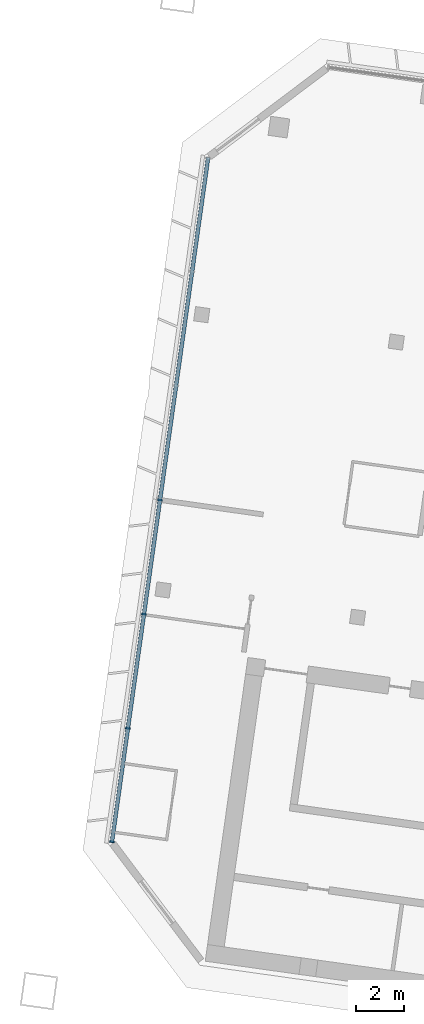
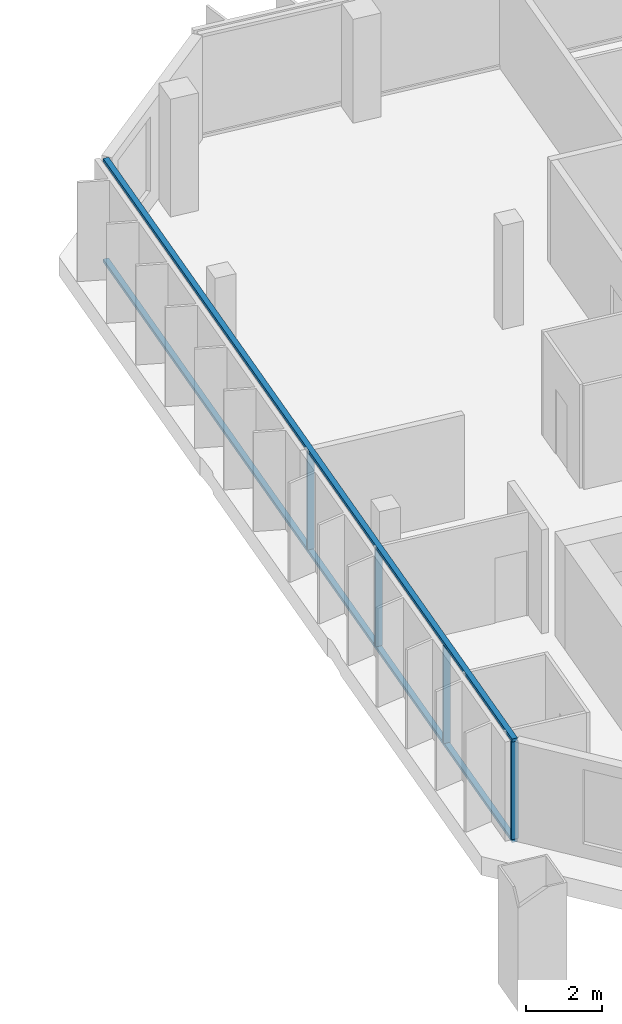
# One storey, part 2 of 26: 6 members, 1 element without a shape of its own.
"""IFC4 building model written with IfcOpenShell, lengths in metres."""

from ifc_helpers import new_model, si_unit, direction, frame, origin, origin_2d, place, context, subcontext, project, spatial, rectangle, extrude, material, material_profile, profile_set, type_object, element, aggregate, save


model = new_model("IFC4")

# Units and contexts
model_context = context("Model", 3, precision=1e-05, world=origin(), true_north=direction((0.0, 1.0)))
body_context = subcontext(model_context, "Body", "Model", "MODEL_VIEW")
ifc_project = project(units=[si_unit("LENGTHUNIT", "METRE"), si_unit("AREAUNIT", "SQUARE_METRE"), si_unit("VOLUMEUNIT", "CUBIC_METRE"), si_unit("PLANEANGLEUNIT", "RADIAN"), si_unit("MASSUNIT", "GRAM", prefix="KILO")], contexts=[model_context])

# Site, building, storey
site_placement = place(None, origin())
site = spatial("IfcSite", under=ifc_project, at=site_placement, CompositionType="ELEMENT")
building_placement = place(site_placement, origin())
building = spatial("IfcBuilding", under=site, at=building_placement, Name="Mirante Cascada Hotel Towers", CompositionType="ELEMENT")
storey_placement = place(building_placement, frame((0.0, 0.0, 203.0)))
storey = spatial("IfcBuildingStorey", under=building, at=storey_placement, Name="L48", CompositionType="ELEMENT", Elevation=203.0)

# Curtain wall, members
ifc_material_1 = material(Name="Aluminium mullion and transom frame with clear laminated glass", Category="aluminium")
curtain_wall_type = type_object("IfcCurtainWallType", Name="End ribbon curtain wall ECW2", PredefinedType="NOTDEFINED", material=ifc_material_1)
curtain_wall_placement = place(storey_placement, origin())
curtain_wall = element("IfcCurtainWall", 1, at=curtain_wall_placement, inside=storey, type_object=curtain_wall_type, Name="Outer end wall T1 L48", PredefinedType="NOTDEFINED")
ifc_material_2 = material(Name="Anodised aluminium extrusion", Category="aluminium")
ifc_material_profile_1 = material_profile(ifc_material_2, rectangle(XDim=0.2, YDim=0.065, at=origin_2d()), Name="ECW2 MULLION 65x200")
ifc_profile_set_1 = profile_set([ifc_material_profile_1], Name="Anodised aluminium extrusion")
member_type_1 = type_object("IfcMemberType", Name="ECW2 mullion 65x200", PredefinedType="MULLION", material=ifc_profile_set_1)
member_1_placement = place(storey_placement, frame((-85.3308, -8.7707, 0.1), z_axis=(0.0, 0.0, 1.0), x_axis=(-0.9902681, 0.1391731, 0.0)))
member_1 = element("IfcMember", 2, at=member_1_placement, type_object=member_type_1, Name="ECW2 mullion 1", PredefinedType="MULLION", context=body_context, shape_type="SweptSolid", body=[
    extrude(rectangle(XDim=0.2, YDim=0.065, at=origin_2d()), origin(), (0.0, 0.0, 1.0), 3.15),
])
member_2_placement = place(storey_placement, frame((-84.6655, -4.0371, 0.1), z_axis=(0.0, 0.0, 1.0), x_axis=(-0.9902681, 0.1391731, 0.0)))
member_2 = element("IfcMember", 3, at=member_2_placement, type_object=member_type_1, Name="ECW2 mullion 2", PredefinedType="MULLION", context=body_context, shape_type="SweptSolid", body=[
    extrude(rectangle(XDim=0.2, YDim=0.065, at=origin_2d()), origin(), (0.0, 0.0, 1.0), 3.15),
])
member_3_placement = place(storey_placement, frame((-83.9957, 0.7287, 0.1), z_axis=(0.0, 0.0, 1.0), x_axis=(-0.9902681, 0.1391731, 0.0)))
member_3 = element("IfcMember", 4, at=member_3_placement, type_object=member_type_1, Name="ECW2 mullion 3", PredefinedType="MULLION", context=body_context, shape_type="SweptSolid", body=[
    extrude(rectangle(XDim=0.2, YDim=0.065, at=origin_2d()), origin(), (0.0, 0.0, 1.0), 3.15),
])
member_4_placement = place(storey_placement, frame((-83.3259, 5.4945, 0.1), z_axis=(0.0, 0.0, 1.0), x_axis=(-0.9902681, 0.1391731, 0.0)))
member_4 = element("IfcMember", 5, at=member_4_placement, type_object=member_type_1, Name="ECW2 mullion 4", PredefinedType="MULLION", context=body_context, shape_type="SweptSolid", body=[
    extrude(rectangle(XDim=0.2, YDim=0.065, at=origin_2d()), origin(), (0.0, 0.0, 1.0), 3.15),
])
ifc_material_3 = material(Name="Anodised aluminium extrusion", Category="aluminium")
ifc_material_profile_2 = material_profile(ifc_material_3, rectangle(XDim=0.16, YDim=0.1, at=origin_2d()), Name="ECW2 TRANSOM 100x160")
ifc_profile_set_2 = profile_set([ifc_material_profile_2], Name="Anodised aluminium extrusion")
member_type_2 = type_object("IfcMemberType", Name="ECW2 transom 100x160", PredefinedType="USERDEFINED", material=ifc_profile_set_2)
member_5_placement = place(storey_placement, frame((-85.3353, -8.8029, 0.05), z_axis=(0.1391723, 0.9902682, 0.0), x_axis=(-0.9902682, 0.1391723, 0.0)))
member_5 = element("IfcMember", 6, at=member_5_placement, type_object=member_type_2, Name="ECW2 sill transom", ObjectType="TRANSOM", PredefinedType="USERDEFINED", context=body_context, shape_type="SweptSolid", body=[
    extrude(rectangle(XDim=0.16, YDim=0.1, at=origin_2d()), origin(), (0.0, 0.0, 1.0), 28.8757),
])
member_6_placement = place(storey_placement, frame((-85.3353, -8.8029, 3.3), z_axis=(0.1391723, 0.9902682, 0.0), x_axis=(-0.9902682, 0.1391723, 0.0)))
member_6 = element("IfcMember", 7, at=member_6_placement, type_object=member_type_2, Name="ECW2 head transom", ObjectType="TRANSOM", PredefinedType="USERDEFINED", context=body_context, shape_type="SweptSolid", body=[
    extrude(rectangle(XDim=0.16, YDim=0.1, at=origin_2d()), origin(), (0.0, 0.0, 1.0), 28.8757),
])
aggregate(curtain_wall, [member_5, member_6, member_1, member_2, member_3, member_4])

save(model, "model.ifc")
